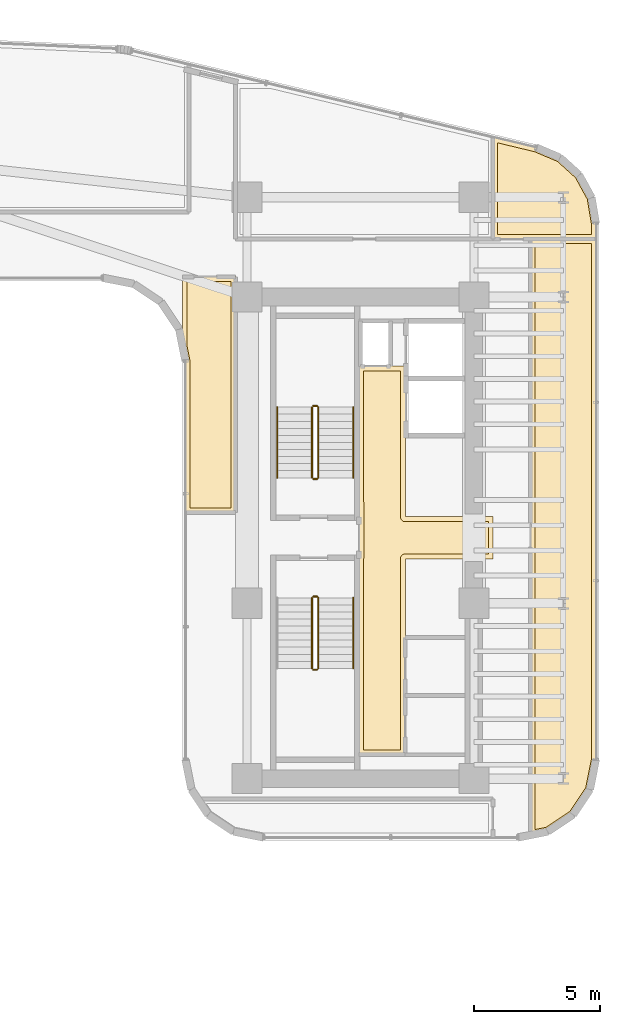
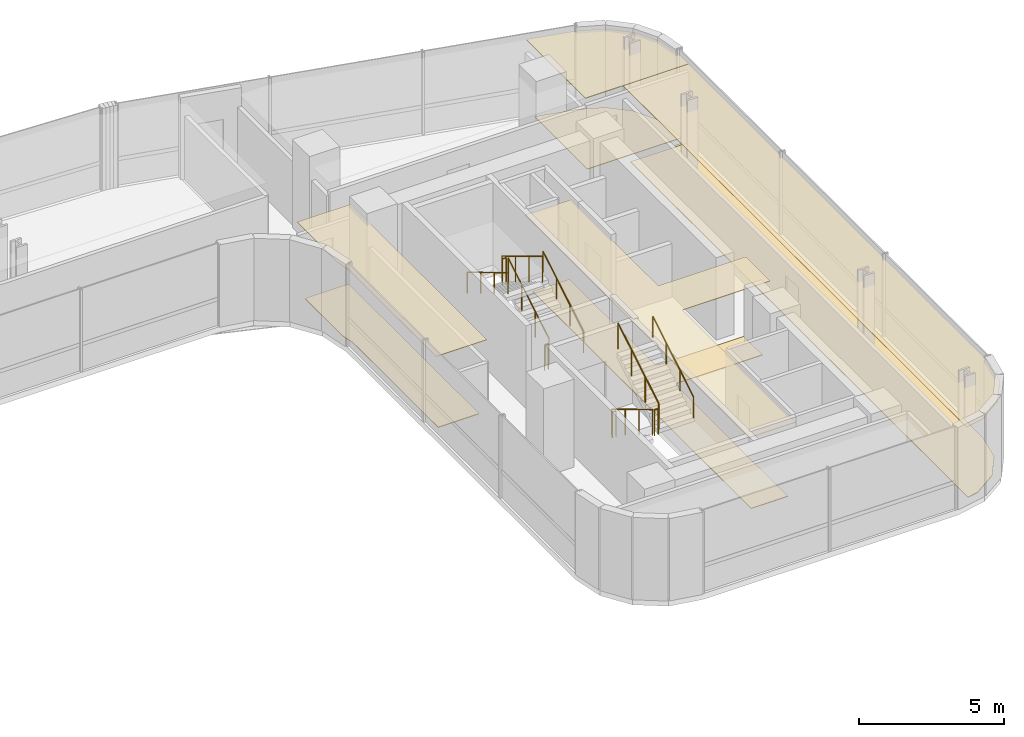
# One storey, part 34 of 35: 11 railings, 8 coverings.
"""IFC4 building model written with IfcOpenShell, lengths in metres."""

from ifc_helpers import new_model, si_unit, direction, frame, origin, origin_2d, place, context, subcontext, project, spatial, polyline, circle, outline, extrude, material, layer, layer_set, type_object, element, save


model = new_model("IFC4")

# Units and contexts
model_context = context("Model", 3, precision=1e-05, world=origin(), true_north=direction((0.0, 1.0)))
body_context = subcontext(model_context, "Body", "Model", "MODEL_VIEW")
ifc_project = project(units=[si_unit("LENGTHUNIT", "METRE"), si_unit("AREAUNIT", "SQUARE_METRE"), si_unit("VOLUMEUNIT", "CUBIC_METRE"), si_unit("PLANEANGLEUNIT", "RADIAN"), si_unit("MASSUNIT", "GRAM", prefix="KILO")], contexts=[model_context])

# Site, building, storey
site_placement = place(None, origin())
site = spatial("IfcSite", under=ifc_project, at=site_placement, CompositionType="ELEMENT")
building_placement = place(site_placement, origin())
building = spatial("IfcBuilding", under=site, at=building_placement, Name="Valdorenza Pilgrim Sanctuary Tower", CompositionType="ELEMENT")
storey_placement = place(building_placement, frame((0.0, 0.0, 124.199951171875)))
storey = spatial("IfcBuildingStorey", under=building, at=storey_placement, Name="L31", CompositionType="ELEMENT", Elevation=124.199951171875)

# Coverings
ifc_material_1 = material(Name="Micro-perforated acoustic mineral ceiling tile", Category="gypsum")
ifc_layer_1 = layer(ifc_material_1, 0.02490234375, Name="Micro-perforated acoustic mineral ceiling tile")
ifc_layer_set_1 = layer_set([ifc_layer_1], Name="Micro-perforated acoustic mineral ceiling tile")
covering_type_1 = type_object("IfcCoveringType", Name="COV-CLG-ACU", PredefinedType="CEILING", material=ifc_layer_set_1)
covering_1_placement = place(storey_placement, frame((0.0, 0.0, 3.16015625)))
element("IfcCovering", 1, at=covering_1_placement, inside=storey, type_object=covering_type_1, Name="L31 Core B Passenger Lift Lobby Acoustic Ceiling", PredefinedType="CEILING", context=body_context, shape_type="SweptSolid", body=[
    extrude(outline(polyline([(20.287109375, -0.814697265625), (20.287109375, 0.814697265625), (20.28662109375, 0.815185546875), (20.2861328125, 0.81640625), (20.28564453125, 0.81787109375), (20.285400390625, 0.819091796875), (20.28515625, 0.820556640625), (20.284912109375, 0.822021484375), (20.284912109375, 6.800048828125), (20.28515625, 6.801513671875), (20.285400390625, 6.802978515625), (20.28564453125, 6.804443359375), (20.2861328125, 6.8056640625), (20.286865234375, 6.80712890625), (20.28759765625, 6.808349609375), (20.288330078125, 6.8095703125), (20.289306640625, 6.810546875), (20.29052734375, 6.8115234375), (20.291748046875, 6.8125), (20.29296875, 6.813232421875), (20.294189453125, 6.81396484375), (20.295654296875, 6.814453125), (20.297119140625, 6.814697265625), (20.298583984375, 6.81494140625), (20.300048828125, 6.81494140625), (20.347900390625, 6.81494140625), (20.349365234375, 6.81494140625), (20.350830078125, 6.814697265625), (20.352294921875, 6.814453125), (20.353515625, 6.81396484375), (20.35498046875, 6.813232421875), (20.35546875, 6.81298828125), (21.544677734375, 6.81298828125), (21.545166015625, 6.813232421875), (21.54638671875, 6.81396484375), (21.5478515625, 6.814453125), (21.54931640625, 6.814697265625), (21.550537109375, 6.81494140625), (21.552001953125, 6.81494140625), (22.1201171875, 6.81494140625), (22.12158203125, 6.81494140625), (22.122802734375, 6.814697265625), (22.12451171875, 6.814453125), (22.125732421875, 6.81396484375), (22.127197265625, 6.813232421875), (22.12841796875, 6.8125), (22.12939453125, 6.8115234375), (22.130615234375, 6.810546875), (22.131591796875, 6.8095703125), (22.132568359375, 6.808349609375), (22.13330078125, 6.80712890625), (22.1337890625, 6.8056640625), (22.134521484375, 6.804443359375), (22.134765625, 6.802978515625), (22.135009765625, 6.801513671875), (22.135009765625, 6.800048828125), (22.135009765625, 0.8349609375), (25.60009765625, 0.8349609375), (25.6015625, 0.8349609375), (25.602783203125, 0.834716796875), (25.6044921875, 0.83447265625), (25.605712890625, 0.833984375), (25.607177734375, 0.833251953125), (25.6083984375, 0.83251953125), (25.609619140625, 0.83154296875), (25.610595703125, 0.83056640625), (25.611572265625, 0.82958984375), (25.612548828125, 0.828369140625), (25.61328125, 0.8271484375), (25.614013671875, 0.82568359375), (25.614501953125, 0.824462890625), (25.61474609375, 0.822998046875), (25.614990234375, 0.821533203125), (25.614990234375, 0.820068359375), (25.614990234375, -0.820068359375), (25.614990234375, -0.821533203125), (25.61474609375, -0.822998046875), (25.614501953125, -0.824462890625), (25.614013671875, -0.82568359375), (25.61328125, -0.8271484375), (25.612548828125, -0.828369140625), (25.611572265625, -0.82958984375), (25.610595703125, -0.83056640625), (25.609619140625, -0.83154296875), (25.6083984375, -0.83251953125), (25.607177734375, -0.833251953125), (25.605712890625, -0.833984375), (25.6044921875, -0.83447265625), (25.602783203125, -0.834716796875), (25.6015625, -0.8349609375), (25.60009765625, -0.8349609375), (22.135009765625, -0.8349609375), (22.135009765625, -8.60009765625), (22.135009765625, -8.6015625), (22.134765625, -8.602783203125), (22.134521484375, -8.6044921875), (22.1337890625, -8.605712890625), (22.13330078125, -8.607177734375), (22.132568359375, -8.6083984375), (22.131591796875, -8.609619140625), (22.130615234375, -8.610595703125), (22.12939453125, -8.611572265625), (22.12841796875, -8.612548828125), (22.127197265625, -8.61328125), (22.125732421875, -8.614013671875), (22.12451171875, -8.614501953125), (22.122802734375, -8.61474609375), (22.12158203125, -8.614990234375), (22.1201171875, -8.614990234375), (20.300048828125, -8.614990234375), (20.298583984375, -8.614990234375), (20.297119140625, -8.61474609375), (20.295654296875, -8.614501953125), (20.294189453125, -8.614013671875), (20.29296875, -8.61328125), (20.291748046875, -8.612548828125), (20.29052734375, -8.611572265625), (20.289306640625, -8.610595703125), (20.288330078125, -8.609619140625), (20.28759765625, -8.6083984375), (20.286865234375, -8.607177734375), (20.2861328125, -8.605712890625), (20.28564453125, -8.6044921875), (20.285400390625, -8.602783203125), (20.28515625, -8.6015625), (20.284912109375, -8.60009765625), (20.284912109375, -0.822021484375), (20.28515625, -0.820556640625), (20.285400390625, -0.819091796875), (20.28564453125, -0.81787109375), (20.2861328125, -0.81640625), (20.28662109375, -0.815185546875), (20.287109375, -0.814697265625)])), origin(), (0.0, 0.0, 1.0), 0.02490234375),
])
covering_2_placement = place(storey_placement, frame((0.0, 0.0, 3.16015625)))
element("IfcCovering", 2, at=covering_2_placement, inside=storey, type_object=covering_type_1, Name="L31 East Wing Reference Library L31-BNE Acoustic Ceiling", PredefinedType="CEILING", context=body_context, shape_type="SweptSolid", body=[
    extrude(outline(polyline([(27.313720703125, 15.49755859375), (27.31494140625, 15.4970703125), (27.316162109375, 15.49658203125), (28.269775390625, 15.09130859375), (28.271240234375, 15.090576171875), (28.272705078125, 15.089599609375), (28.27392578125, 15.088623046875), (29.034912109375, 14.3994140625), (29.035888671875, 14.398193359375), (29.037109375, 14.39697265625), (29.037841796875, 14.3955078125), (29.531005859375, 13.4951171875), (29.53173828125, 13.49365234375), (29.5322265625, 13.4921875), (29.53271484375, 13.490478515625), (29.704833984375, 12.468994140625), (29.704833984375, 12.467529296875), (29.705078125, 12.46630859375), (29.705078125, 11.85009765625), (29.704833984375, 11.848388671875), (29.70458984375, 11.84716796875), (29.704345703125, 11.845703125), (29.703857421875, 11.84423828125), (29.703125, 11.843017578125), (29.702392578125, 11.841796875), (29.70166015625, 11.840576171875), (29.70068359375, 11.83935546875), (29.699462890625, 11.83837890625), (29.6982421875, 11.83740234375), (29.697021484375, 11.8369140625), (29.69580078125, 11.836181640625), (29.6943359375, 11.835693359375), (29.69287109375, 11.835205078125), (29.69140625, 11.835205078125), (29.68994140625, 11.8349609375), (25.60205078125, 11.8349609375), (25.6005859375, 11.835205078125), (25.59912109375, 11.835205078125), (25.59765625, 11.835693359375), (25.59619140625, 11.836181640625), (25.594970703125, 11.8369140625), (25.59375, 11.83740234375), (25.592529296875, 11.83837890625), (25.59130859375, 11.83935546875), (25.59033203125, 11.840576171875), (25.589599609375, 11.841796875), (25.5888671875, 11.843017578125), (25.588134765625, 11.84423828125), (25.587646484375, 11.845703125), (25.58740234375, 11.84716796875), (25.587158203125, 11.848388671875), (25.5869140625, 11.85009765625), (25.5869140625, 15.891845703125), (25.587158203125, 15.893310546875), (25.58740234375, 15.894775390625), (25.587646484375, 15.896240234375), (25.588134765625, 15.897705078125), (25.5888671875, 15.89892578125), (25.589599609375, 15.900390625), (25.590576171875, 15.901611328125), (25.591552734375, 15.902587890625), (25.5927734375, 15.903564453125), (25.593994140625, 15.904296875), (25.59521484375, 15.9052734375), (25.5966796875, 15.90576171875), (25.597900390625, 15.90625), (25.599609375, 15.906494140625), (25.60107421875, 15.90673828125), (25.6025390625, 15.90673828125), (25.60400390625, 15.906494140625), (25.60546875, 15.906494140625), (27.313720703125, 15.49755859375)])), origin(), (0.0, 0.0, 1.0), 0.02490234375),
])
covering_3_placement = place(storey_placement, frame((0.0, 0.0, 3.16015625)))
element("IfcCovering", 3, at=covering_3_placement, inside=storey, type_object=covering_type_1, Name="L31 Open Plan Scholar Office L31-EB1 Acoustic Ceiling", PredefinedType="CEILING", context=body_context, shape_type="SweptSolid", body=[
    extrude(outline(polyline([(29.705078125, -8.789306640625), (29.704833984375, -8.79052734375), (29.70458984375, -8.7919921875), (29.467529296875, -9.984619140625), (29.467041015625, -9.986083984375), (29.466552734375, -9.9873046875), (29.466064453125, -9.98876953125), (29.46533203125, -9.989990234375), (28.7958984375, -10.99169921875), (28.794921875, -10.992919921875), (28.7939453125, -10.993896484375), (28.79296875, -10.9951171875), (28.791748046875, -10.995849609375), (27.7900390625, -11.665283203125), (27.788818359375, -11.666015625), (27.787353515625, -11.66650390625), (27.785888671875, -11.6669921875), (27.78466796875, -11.66748046875), (27.102783203125, -11.802978515625), (27.1015625, -11.80322265625), (27.10009765625, -11.803466796875), (27.098388671875, -11.80322265625), (27.09716796875, -11.802978515625), (27.095703125, -11.802734375), (27.09423828125, -11.80224609375), (27.093017578125, -11.801513671875), (27.091796875, -11.80078125), (27.090576171875, -11.800048828125), (27.08935546875, -11.799072265625), (27.08837890625, -11.7978515625), (27.08740234375, -11.796630859375), (27.0869140625, -11.79541015625), (27.086181640625, -11.794189453125), (27.085693359375, -11.792724609375), (27.085205078125, -11.791259765625), (27.085205078125, -11.789794921875), (27.0849609375, -11.788330078125), (27.0849609375, 11.847900390625), (27.085205078125, 11.849609375), (27.085205078125, 11.850830078125), (27.085693359375, 11.852294921875), (27.086181640625, 11.853759765625), (27.0869140625, 11.85498046875), (27.08740234375, 11.856201171875), (27.08837890625, 11.857421875), (27.08935546875, 11.858642578125), (27.090576171875, 11.859619140625), (27.091796875, 11.860595703125), (27.093017578125, 11.861083984375), (27.09423828125, 11.86181640625), (27.095703125, 11.8623046875), (27.09716796875, 11.86279296875), (27.098388671875, 11.86279296875), (27.10009765625, 11.863037109375), (29.68994140625, 11.863037109375), (29.69140625, 11.86279296875), (29.69287109375, 11.86279296875), (29.6943359375, 11.8623046875), (29.69580078125, 11.86181640625), (29.697021484375, 11.861083984375), (29.6982421875, 11.860595703125), (29.699462890625, 11.859619140625), (29.70068359375, 11.858642578125), (29.70166015625, 11.857421875), (29.702392578125, 11.856201171875), (29.703125, 11.85498046875), (29.703857421875, 11.853759765625), (29.704345703125, 11.852294921875), (29.70458984375, 11.850830078125), (29.704833984375, 11.849609375), (29.705078125, 11.847900390625), (29.705078125, -8.789306640625)])), origin(), (0.0, 0.0, 1.0), 0.02490234375),
])
covering_4_placement = place(storey_placement, frame((0.0, 0.0, 3.16015625)))
element("IfcCovering", 4, at=covering_4_placement, inside=storey, type_object=covering_type_1, Name="L31 Courtyard Overlook Salon L31 Acoustic Ceiling", PredefinedType="CEILING", context=body_context, shape_type="SweptSolid", body=[
    extrude(outline(polyline([(15.39990234375, 10.364990234375), (15.401611328125, 10.364990234375), (15.40283203125, 10.36474609375), (15.404296875, 10.364501953125), (15.40576171875, 10.364013671875), (15.406982421875, 10.36328125), (15.408203125, 10.362548828125), (15.409423828125, 10.361572265625), (15.41064453125, 10.360595703125), (15.41162109375, 10.359619140625), (15.41259765625, 10.3583984375), (15.4130859375, 10.357177734375), (15.413818359375, 10.355712890625), (15.414306640625, 10.3544921875), (15.414794921875, 10.352783203125), (15.414794921875, 10.3515625), (15.4150390625, 10.35009765625), (15.4150390625, 1.0), (15.414794921875, 0.99853515625), (15.414794921875, 0.9970703125), (15.414306640625, 0.99560546875), (15.413818359375, 0.994384765625), (15.4130859375, 0.992919921875), (15.41259765625, 0.99169921875), (15.41162109375, 0.990478515625), (15.41064453125, 0.989501953125), (15.409423828125, 0.98828125), (15.408203125, 0.987548828125), (15.406982421875, 0.98681640625), (15.40576171875, 0.986083984375), (15.404296875, 0.985595703125), (15.40283203125, 0.9853515625), (15.401611328125, 0.985107421875), (15.39990234375, 0.985107421875), (13.409912109375, 0.985107421875), (13.408447265625, 0.985107421875), (13.406982421875, 0.9853515625), (13.405517578125, 0.985595703125), (13.404296875, 0.986083984375), (13.40283203125, 0.98681640625), (13.401611328125, 0.987548828125), (13.400390625, 0.98828125), (13.3994140625, 0.989501953125), (13.3984375, 0.990478515625), (13.3974609375, 0.99169921875), (13.396728515625, 0.992919921875), (13.39599609375, 0.994384765625), (13.3955078125, 0.99560546875), (13.395263671875, 0.9970703125), (13.39501953125, 0.99853515625), (13.39501953125, 1.0), (13.39501953125, 6.99951171875), (13.39453125, 7.00927734375), (13.39306640625, 7.018798828125), (13.285400390625, 7.560791015625), (13.28515625, 7.562255859375), (13.284912109375, 7.563720703125), (13.284912109375, 10.35009765625), (13.28515625, 10.3515625), (13.285400390625, 10.352783203125), (13.28564453125, 10.3544921875), (13.2861328125, 10.355712890625), (13.286865234375, 10.357177734375), (13.28759765625, 10.3583984375), (13.288330078125, 10.359619140625), (13.289306640625, 10.360595703125), (13.29052734375, 10.361572265625), (13.291748046875, 10.362548828125), (13.29296875, 10.36328125), (13.294189453125, 10.364013671875), (13.295654296875, 10.364501953125), (13.297119140625, 10.36474609375), (13.298583984375, 10.364990234375), (13.300048828125, 10.364990234375), (15.39990234375, 10.364990234375)])), origin(), (0.0, 0.0, 1.0), 0.02490234375),
])
ifc_material_2 = material(Name="Honed travertine stone flooring", Category="masonry")
ifc_layer_2 = layer(ifc_material_2, 0.030029296875, Name="Honed travertine stone flooring")
ifc_layer_set_2 = layer_set([ifc_layer_2], Name="Honed travertine stone flooring")
covering_type_2 = type_object("IfcCoveringType", Name="COV-FLR-TRV", PredefinedType="FLOORING", material=ifc_layer_set_2)
covering_5_placement = place(storey_placement, origin())
element("IfcCovering", 5, at=covering_5_placement, inside=storey, type_object=covering_type_2, Name="L31 Core B Passenger Lift Lobby Flooring", PredefinedType="FLOORING", context=body_context, shape_type="SweptSolid", body=[
    extrude(outline(polyline([(20.47998046875, 6.617919921875), (21.550048828125, 6.617919921875), (21.550537109375, 6.617919921875), (21.93994140625, 6.619384765625), (21.93994140625, 0.820068359375), (21.94091796875, 0.802490234375), (21.943603515625, 0.784912109375), (21.94775390625, 0.767578125), (21.95361328125, 0.751220703125), (21.961181640625, 0.735107421875), (21.97021484375, 0.719970703125), (21.98095703125, 0.705810546875), (21.99267578125, 0.692626953125), (22.005859375, 0.680908203125), (22.02001953125, 0.67041015625), (22.03515625, 0.661376953125), (22.051025390625, 0.65380859375), (22.067626953125, 0.647705078125), (22.0849609375, 0.6435546875), (22.102294921875, 0.640869140625), (22.1201171875, 0.639892578125), (25.419921875, 0.639892578125), (25.419921875, -0.639892578125), (22.1201171875, -0.639892578125), (22.102294921875, -0.640869140625), (22.0849609375, -0.6435546875), (22.067626953125, -0.647705078125), (22.051025390625, -0.65380859375), (22.03515625, -0.661376953125), (22.02001953125, -0.67041015625), (22.005859375, -0.680908203125), (21.99267578125, -0.692626953125), (21.98095703125, -0.705810546875), (21.97021484375, -0.719970703125), (21.961181640625, -0.735107421875), (21.95361328125, -0.751220703125), (21.94775390625, -0.767578125), (21.943603515625, -0.784912109375), (21.94091796875, -0.802490234375), (21.93994140625, -0.820068359375), (21.93994140625, -8.419921875), (20.47998046875, -8.419921875), (20.47998046875, -0.846923828125), (20.47998046875, -0.8466796875), (20.47998046875, -0.8466796875), (20.481689453125, -0.8291015625), (20.481689453125, -0.828857421875), (20.48193359375, -0.820068359375), (20.48193359375, 0.820068359375), (20.47998046875, 6.617919921875)])), origin(), (0.0, 0.0, 1.0), 0.025146484375),
])
covering_6_placement = place(storey_placement, origin())
element("IfcCovering", 6, at=covering_6_placement, inside=storey, type_object=covering_type_2, Name="L31 East Wing Reference Library L31-BNE Flooring", PredefinedType="FLOORING", context=body_context, shape_type="SweptSolid", body=[
    extrude(outline(polyline([(27.25390625, 15.311279296875), (28.16552734375, 14.923583984375), (28.88134765625, 14.275390625), (29.345458984375, 13.427978515625), (29.510009765625, 12.451416015625), (29.510009765625, 12.030029296875), (25.781982421875, 12.030029296875), (25.781982421875, 15.66357421875), (27.25390625, 15.311279296875)])), origin(), (0.0, 0.0, 1.0), 0.025146484375),
])
covering_7_placement = place(storey_placement, origin())
element("IfcCovering", 7, at=covering_7_placement, inside=storey, type_object=covering_type_2, Name="L31 Open Plan Scholar Office L31-EB1 Flooring", PredefinedType="FLOORING", context=body_context, shape_type="SweptSolid", body=[
    extrude(outline(polyline([(29.510009765625, -8.771484375), (29.283203125, -9.911376953125), (28.653564453125, -10.853515625), (27.71142578125, -11.483154296875), (27.280029296875, -11.569091796875), (27.280029296875, 11.66796875), (29.510009765625, 11.66796875), (29.510009765625, -8.771484375)])), origin(), (0.0, 0.0, 1.0), 0.025146484375),
])
covering_8_placement = place(storey_placement, origin())
element("IfcCovering", 8, at=covering_8_placement, inside=storey, type_object=covering_type_2, Name="L31 Courtyard Overlook Salon L31 Flooring", PredefinedType="FLOORING", context=body_context, shape_type="SweptSolid", body=[
    extrude(outline(polyline([(15.219970703125, 10.169921875), (15.219970703125, 1.179931640625), (13.590087890625, 1.179931640625), (13.590087890625, 7.0), (13.58984375, 7.0087890625), (13.58935546875, 7.01953125), (13.58740234375, 7.037109375), (13.5859375, 7.0478515625), (13.58447265625, 7.056640625), (13.47998046875, 7.58154296875), (13.47998046875, 10.169921875), (15.219970703125, 10.169921875)])), origin(), (0.0, 0.0, 1.0), 0.025146484375),
])

# Railings
ifc_material_3 = material(Name="Stainless steel Grade 316", Category="steel")
railing_type_1 = type_object("IfcRailingType", Name="RLG-GRD-1120", PredefinedType="GUARDRAIL", material=ifc_material_3)
railing_1_placement = place(storey_placement, frame((18.679931640625, 2.3798828125, 0.168212890625)))
element("IfcRailing", 9, at=railing_1_placement, inside=storey, type_object=railing_type_1, Name="L31 ST-B1 stair guard 1", PredefinedType="GUARDRAIL", context=body_context, shape_type="SweptSolid", body=[
    extrude(circle(Radius=0.02392578125, at=origin_2d()), frame((0.0, 0.0, 1.076171875), z_axis=(0.0, 0.857242210791, 0.514913383045), x_axis=(-1.0, 0.0, 0.0)), (0.0, 0.0, 1.0), 3.266357421875),
    extrude(circle(Radius=0.02099609375, at=origin_2d()), origin(), (0.0, 0.0, 1.0), 1.052001953125),
    extrude(circle(Radius=0.02099609375, at=origin_2d()), frame((0.0, 0.933349609375, 0.560546875)), (0.0, 0.0, 1.0), 1.052001953125),
    extrude(circle(Radius=0.02099609375, at=origin_2d()), frame((0.0, 1.86669921875, 1.121337890625)), (0.0, 0.0, 1.0), 1.052001953125),
    extrude(circle(Radius=0.02099609375, at=origin_2d()), frame((0.0, 2.800048828125, 1.681884765625)), (0.0, 0.0, 1.0), 1.052001953125),
])
railing_2_placement = place(storey_placement, frame((18.6298828125, 5.22998046875, 1.85009765625)))
element("IfcRailing", 10, at=railing_2_placement, inside=storey, type_object=railing_type_1, Name="L31 ST-B1 stair guard 2", PredefinedType="GUARDRAIL", context=body_context, shape_type="SweptSolid", body=[
    extrude(circle(Radius=0.02392578125, at=origin_2d()), frame((0.0, 0.0, 1.076171875), z_axis=(-1.0, 0.0, 0.0), x_axis=(0.0, -1.0, 0.0)), (0.0, 0.0, 1.0), 0.14990234375),
    extrude(circle(Radius=0.02099609375, at=origin_2d()), origin(), (0.0, 0.0, 1.0), 1.052001953125),
    extrude(circle(Radius=0.02099609375, at=origin_2d()), frame((-0.14990234375, 0.0, 0.0)), (0.0, 0.0, 1.0), 1.052001953125),
])
railing_3_placement = place(storey_placement, frame((18.429931640625, 5.179931640625, 2.018310546875)))
element("IfcRailing", 11, at=railing_3_placement, inside=storey, type_object=railing_type_1, Name="L31 ST-B1 stair guard 3", PredefinedType="GUARDRAIL", context=body_context, shape_type="SweptSolid", body=[
    extrude(circle(Radius=0.02392578125, at=origin_2d()), frame((0.0, 0.0, 1.076171875), z_axis=(0.0, -0.857275202839, 0.514858452973), x_axis=(1.0, 0.0, 0.0)), (0.0, 0.0, 1.0), 3.26611328125),
    extrude(circle(Radius=0.02099609375, at=origin_2d()), origin(), (0.0, 0.0, 1.0), 1.052001953125),
    extrude(circle(Radius=0.02099609375, at=origin_2d()), frame((0.0, -0.933349609375, 0.560546875)), (0.0, 0.0, 1.0), 1.052001953125),
    extrude(circle(Radius=0.02099609375, at=origin_2d()), frame((0.0, -1.86669921875, 1.12109375)), (0.0, 0.0, 1.0), 1.052001953125),
    extrude(circle(Radius=0.02099609375, at=origin_2d()), frame((0.0, -2.800048828125, 1.681640625)), (0.0, 0.0, 1.0), 1.052001953125),
])
railing_4_placement = place(storey_placement, frame((18.6298828125, 2.330078125, 0.0)))
element("IfcRailing", 12, at=railing_4_placement, inside=storey, type_object=railing_type_1, Name="L31 ST-B1 stair guard 4", PredefinedType="GUARDRAIL", context=body_context, shape_type="SweptSolid", body=[
    extrude(circle(Radius=0.02392578125, at=origin_2d()), frame((0.0, 0.0, 1.076171875), z_axis=(-1.0, 0.0, 0.0), x_axis=(0.0, -1.0, 0.0)), (0.0, 0.0, 1.0), 0.14990234375),
    extrude(circle(Radius=0.02099609375, at=origin_2d()), origin(), (0.0, 0.0, 1.0), 1.052001953125),
    extrude(circle(Radius=0.02099609375, at=origin_2d()), frame((-0.14990234375, 0.0, 0.0)), (0.0, 0.0, 1.0), 1.052001953125),
])
railing_5_placement = place(storey_placement, frame((18.429931640625, -2.3798828125, 0.168212890625)))
element("IfcRailing", 13, at=railing_5_placement, inside=storey, type_object=railing_type_1, Name="L31 ST-B2 stair guard 1", PredefinedType="GUARDRAIL", context=body_context, shape_type="SweptSolid", body=[
    extrude(circle(Radius=0.02392578125, at=origin_2d()), frame((0.0, 0.0, 1.076171875), z_axis=(0.0, -0.857242210791, 0.514913383045), x_axis=(1.0, 0.0, 0.0)), (0.0, 0.0, 1.0), 3.266357421875),
    extrude(circle(Radius=0.02099609375, at=origin_2d()), origin(), (0.0, 0.0, 1.0), 1.052001953125),
    extrude(circle(Radius=0.02099609375, at=origin_2d()), frame((0.0, -0.933349609375, 0.560546875)), (0.0, 0.0, 1.0), 1.052001953125),
    extrude(circle(Radius=0.02099609375, at=origin_2d()), frame((0.0, -1.86669921875, 1.121337890625)), (0.0, 0.0, 1.0), 1.052001953125),
    extrude(circle(Radius=0.02099609375, at=origin_2d()), frame((0.0, -2.800048828125, 1.681884765625)), (0.0, 0.0, 1.0), 1.052001953125),
])
railing_6_placement = place(storey_placement, frame((18.47998046875, -5.22998046875, 1.85009765625)))
element("IfcRailing", 14, at=railing_6_placement, inside=storey, type_object=railing_type_1, Name="L31 ST-B2 stair guard 2", PredefinedType="GUARDRAIL", context=body_context, shape_type="SweptSolid", body=[
    extrude(circle(Radius=0.02392578125, at=origin_2d()), frame((0.0, 0.0, 1.076171875), z_axis=(1.0, 0.0, 0.0), x_axis=(0.0, 1.0, 0.0)), (0.0, 0.0, 1.0), 0.14990234375),
    extrude(circle(Radius=0.02099609375, at=origin_2d()), origin(), (0.0, 0.0, 1.0), 1.052001953125),
    extrude(circle(Radius=0.02099609375, at=origin_2d()), frame((0.14990234375, 0.0, 0.0)), (0.0, 0.0, 1.0), 1.052001953125),
])
railing_7_placement = place(storey_placement, frame((18.679931640625, -5.179931640625, 2.018310546875)))
element("IfcRailing", 15, at=railing_7_placement, inside=storey, type_object=railing_type_1, Name="L31 ST-B2 stair guard 3", PredefinedType="GUARDRAIL", context=body_context, shape_type="SweptSolid", body=[
    extrude(circle(Radius=0.02392578125, at=origin_2d()), frame((0.0, 0.0, 1.076171875), z_axis=(0.0, 0.857275202839, 0.514858452973), x_axis=(-1.0, 0.0, 0.0)), (0.0, 0.0, 1.0), 3.26611328125),
    extrude(circle(Radius=0.02099609375, at=origin_2d()), origin(), (0.0, 0.0, 1.0), 1.052001953125),
    extrude(circle(Radius=0.02099609375, at=origin_2d()), frame((0.0, 0.933349609375, 0.560546875)), (0.0, 0.0, 1.0), 1.052001953125),
    extrude(circle(Radius=0.02099609375, at=origin_2d()), frame((0.0, 1.86669921875, 1.12109375)), (0.0, 0.0, 1.0), 1.052001953125),
    extrude(circle(Radius=0.02099609375, at=origin_2d()), frame((0.0, 2.800048828125, 1.681640625)), (0.0, 0.0, 1.0), 1.052001953125),
])
railing_8_placement = place(storey_placement, frame((18.47998046875, -2.330078125, 0.0)))
element("IfcRailing", 16, at=railing_8_placement, inside=storey, type_object=railing_type_1, Name="L31 ST-B2 stair guard 4", PredefinedType="GUARDRAIL", context=body_context, shape_type="SweptSolid", body=[
    extrude(circle(Radius=0.02392578125, at=origin_2d()), frame((0.0, 0.0, 1.076171875), z_axis=(1.0, 0.0, 0.0), x_axis=(0.0, 1.0, 0.0)), (0.0, 0.0, 1.0), 0.14990234375),
    extrude(circle(Radius=0.02099609375, at=origin_2d()), origin(), (0.0, 0.0, 1.0), 1.052001953125),
    extrude(circle(Radius=0.02099609375, at=origin_2d()), frame((0.14990234375, 0.0, 0.0)), (0.0, 0.0, 1.0), 1.052001953125),
])
ifc_material_4 = material(Name="Brushed stainless steel Grade 316", Category="steel")
railing_type_2 = type_object("IfcRailingType", Name="RLG-HND-920", PredefinedType="HANDRAIL", material=ifc_material_4)
railing_9_placement = place(storey_placement, frame((20.06005859375, 2.3798828125, 0.168212890625)))
element("IfcRailing", 17, at=railing_9_placement, inside=storey, type_object=railing_type_2, Name="L31 ST-B1 stair handrail 1", PredefinedType="HANDRAIL", context=body_context, shape_type="SweptSolid", body=[
    extrude(circle(Radius=0.02392578125, at=origin_2d()), frame((0.0, 0.0, 0.8759765625), z_axis=(0.0, 0.857242210791, 0.514913383045), x_axis=(-1.0, 0.0, 0.0)), (0.0, 0.0, 1.0), 3.266357421875),
    extrude(circle(Radius=0.02099609375, at=origin_2d()), origin(), (0.0, 0.0, 1.0), 0.851806640625),
    extrude(circle(Radius=0.02099609375, at=origin_2d()), frame((0.0, 0.933349609375, 0.560546875)), (0.0, 0.0, 1.0), 0.851806640625),
    extrude(circle(Radius=0.02099609375, at=origin_2d()), frame((0.0, 1.86669921875, 1.121337890625)), (0.0, 0.0, 1.0), 0.851806640625),
    extrude(circle(Radius=0.02099609375, at=origin_2d()), frame((0.0, 2.800048828125, 1.681884765625)), (0.0, 0.0, 1.0), 0.851806640625),
])
railing_10_placement = place(storey_placement, frame((17.050048828125, 5.179931640625, 2.018310546875)))
element("IfcRailing", 18, at=railing_10_placement, inside=storey, type_object=railing_type_2, Name="L31 ST-B1 stair handrail 2", PredefinedType="HANDRAIL", context=body_context, shape_type="SweptSolid", body=[
    extrude(circle(Radius=0.02392578125, at=origin_2d()), frame((0.0, 0.0, 0.8759765625), z_axis=(0.0, -0.857275202839, 0.514858452973), x_axis=(1.0, 0.0, 0.0)), (0.0, 0.0, 1.0), 3.26611328125),
    extrude(circle(Radius=0.02099609375, at=origin_2d()), origin(), (0.0, 0.0, 1.0), 0.851806640625),
    extrude(circle(Radius=0.02099609375, at=origin_2d()), frame((0.0, -0.933349609375, 0.560546875)), (0.0, 0.0, 1.0), 0.851806640625),
    extrude(circle(Radius=0.02099609375, at=origin_2d()), frame((0.0, -1.86669921875, 1.12109375)), (0.0, 0.0, 1.0), 0.851806640625),
    extrude(circle(Radius=0.02099609375, at=origin_2d()), frame((0.0, -2.800048828125, 1.681640625)), (0.0, 0.0, 1.0), 0.851806640625),
])
railing_11_placement = place(storey_placement, frame((20.06005859375, -5.179931640625, 2.018310546875)))
element("IfcRailing", 19, at=railing_11_placement, inside=storey, type_object=railing_type_2, Name="L31 ST-B2 stair handrail 2", PredefinedType="HANDRAIL", context=body_context, shape_type="SweptSolid", body=[
    extrude(circle(Radius=0.02392578125, at=origin_2d()), frame((0.0, 0.0, 0.8759765625), z_axis=(0.0, 0.857275202839, 0.514858452973), x_axis=(-1.0, 0.0, 0.0)), (0.0, 0.0, 1.0), 3.26611328125),
    extrude(circle(Radius=0.02099609375, at=origin_2d()), origin(), (0.0, 0.0, 1.0), 0.851806640625),
    extrude(circle(Radius=0.02099609375, at=origin_2d()), frame((0.0, 0.933349609375, 0.560546875)), (0.0, 0.0, 1.0), 0.851806640625),
    extrude(circle(Radius=0.02099609375, at=origin_2d()), frame((0.0, 1.86669921875, 1.12109375)), (0.0, 0.0, 1.0), 0.851806640625),
    extrude(circle(Radius=0.02099609375, at=origin_2d()), frame((0.0, 2.800048828125, 1.681640625)), (0.0, 0.0, 1.0), 0.851806640625),
])

save(model, "model.ifc")
